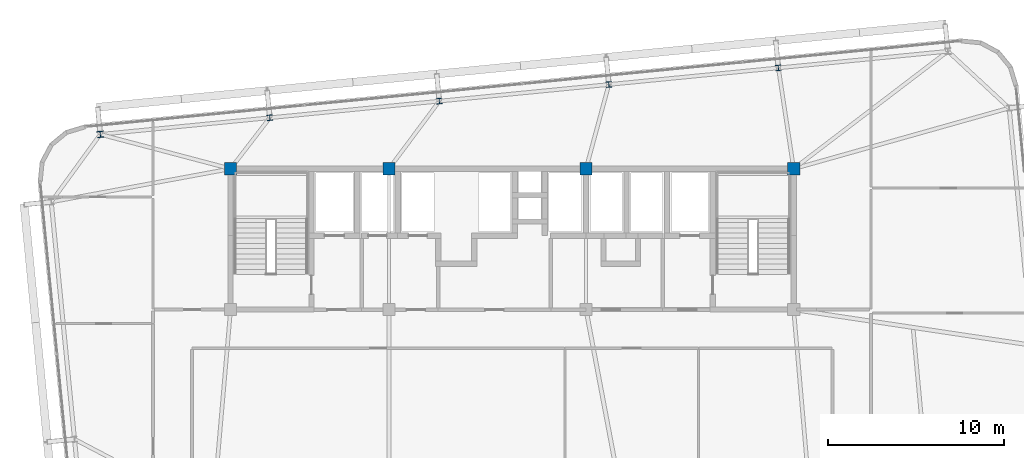
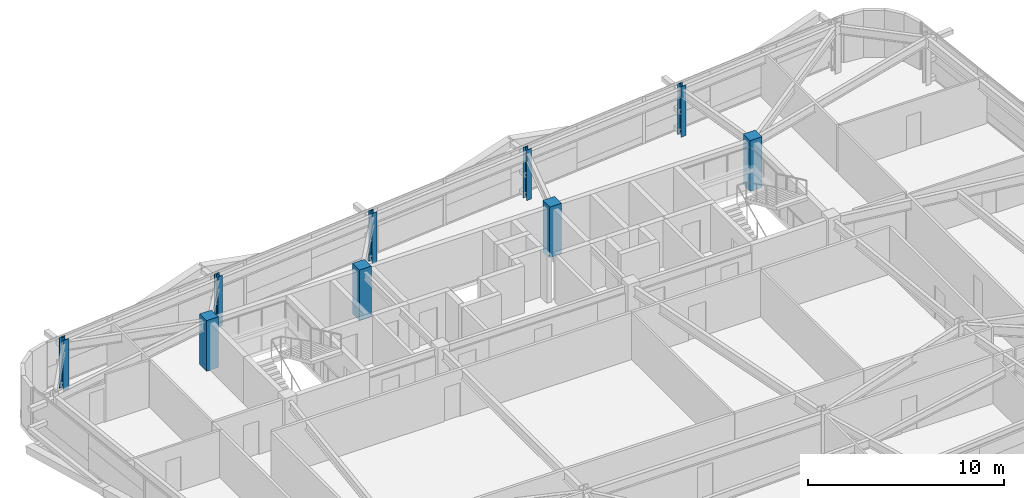
# One storey, part 3 of 47: 9 columns.
"""IFC4 building model written with IfcOpenShell, lengths in metres."""

from ifc_helpers import new_model, si_unit, direction, frame, origin, origin_2d, place, context, subcontext, project, spatial, rectangle, i_section, extrude, source, transform, mapped, material, material_profile, profile_set, type_object, element, save


model = new_model("IFC4")

# Units and contexts
model_context = context("Model", 3, precision=1e-05, world=origin(), true_north=direction((0.0, 1.0)))
body_context = subcontext(model_context, "Body", "Model", "MODEL_VIEW")
ifc_project = project(units=[si_unit("LENGTHUNIT", "METRE"), si_unit("AREAUNIT", "SQUARE_METRE"), si_unit("VOLUMEUNIT", "CUBIC_METRE"), si_unit("PLANEANGLEUNIT", "RADIAN"), si_unit("MASSUNIT", "GRAM", prefix="KILO")], contexts=[model_context])

# Site, building, storey
site_placement = place(None, origin())
site = spatial("IfcSite", under=ifc_project, at=site_placement, CompositionType="ELEMENT")
building_placement = place(site_placement, origin())
building = spatial("IfcBuilding", under=site, at=building_placement, Name="Taldren Reach Tower", CompositionType="ELEMENT")
storey_placement = place(building_placement, frame((0.0, 0.0, 106.050048828125)))
storey = spatial("IfcBuildingStorey", under=building, at=storey_placement, Name="L32", CompositionType="ELEMENT", Elevation=106.050048828125)

# Columns
ifc_material_1 = material(Name="Concrete S65 (65 MPa)", Category="concrete")
ifc_material_profile_1 = material_profile(ifc_material_1, rectangle(XDim=0.699951171875, YDim=0.699951171875, at=origin_2d()), Name="RC-700x700")
ifc_profile_set_1 = profile_set([ifc_material_profile_1], Name="Concrete S65 (65 MPa)")
column_type_1 = type_object("IfcColumnType", Name="COL-RC700", PredefinedType="COLUMN", material=ifc_profile_set_1)
shared_shape_1 = source(origin(), body_context, "Body", "SweptSolid", [
    extrude(rectangle(XDim=0.699951171875, YDim=0.699951171875, at=origin_2d()), origin(), (0.0, 0.0, 1.0), 3.14990234375),
])
for number, where, z_axis, x_axis, name in (
    (1, (19.0, 32.0, 0.0), (0.0, 0.0, 1.0), (1.0, 0.0, 0.0), "Mega column MC-C5 L32"),
    (2, (28.0, 32.0, 0.0), (0.0, 0.0, 1.0), (1.0, 0.0, 0.0), "Mega column MC-C6 L32"),
    (3, (39.199951171875, 32.0, 0.0), (0.0, 0.0, 1.0), (1.0, 0.0, 0.0), "Mega column MC-C7 L32"),
    (4, (51.0, 32.0, 0.0), (0.0, 0.0, 1.0), (1.0, 0.0, 0.0), "Mega column MC-C8 L32"),
):
    element("IfcColumn", number, at=place(storey_placement, frame(where, z_axis=z_axis, x_axis=x_axis)), inside=storey, type_object=column_type_1, Name=name, PredefinedType="COLUMN", context=body_context, shape_type="MappedRepresentation", body=[
        mapped(shared_shape_1, transform((0.0, 0.0, 0.0), scale=1.0)),
    ])
ifc_material_2 = material(Name="Steel Gr 350 (350PLUS)", Category="steel")
ifc_material_profile_2 = material_profile(ifc_material_2, i_section(OverallWidth=0.35009765625, OverallDepth=0.35595703125, WebThickness=0.01806640625, FlangeThickness=0.028076171875, at=origin_2d()), Name="350WC197")
ifc_profile_set_2 = profile_set([ifc_material_profile_2], Name="Steel Gr 350 (350PLUS)")
column_type_2 = type_object("IfcColumnType", Name="COL-WC350", PredefinedType="COLUMN", material=ifc_profile_set_2)
shared_shape_2 = source(origin(), body_context, "Body", "SweptSolid", [
    extrude(i_section(OverallWidth=0.35009765625, OverallDepth=0.35595703125, WebThickness=0.01806640625, FlangeThickness=0.028076171875, at=origin_2d()), origin(), (0.0, 0.0, 1.0), 3.14990234375),
])
column_placement = place(storey_placement, frame((11.596923828125, 33.956787109375, 0.0), z_axis=(0.0, 0.0, 1.0), x_axis=(0.995227399982, 0.097582899759, 0.0)))
element("IfcColumn", 5, at=column_placement, inside=storey, type_object=column_type_2, Name="Block B2 perimeter column N1 L32", PredefinedType="COLUMN", context=body_context, shape_type="MappedRepresentation", body=[
    mapped(shared_shape_2, transform((0.0, 0.0, 0.0), scale=1.0)),
])
ifc_material_profile_3 = material_profile(ifc_material_2, i_section(OverallWidth=0.306884765625, OverallDepth=0.31494140625, WebThickness=0.011962890625, FlangeThickness=0.018798828125, at=origin_2d()), Name="310UC118")
ifc_profile_set_3 = profile_set([ifc_material_profile_3], Name="Steel Gr 350 (350PLUS)")
column_type_3 = type_object("IfcColumnType", Name="COL-UC310B", PredefinedType="COLUMN", material=ifc_profile_set_3)
shared_shape_3 = source(origin(), body_context, "Body", "SweptSolid", [
    extrude(i_section(OverallWidth=0.306884765625, OverallDepth=0.31494140625, WebThickness=0.011962890625, FlangeThickness=0.018798828125, at=origin_2d()), origin(), (0.0, 0.0, 1.0), 3.14990234375),
])
for number, where, z_axis, x_axis, name in (
    (6, (21.230712890625, 34.9013671875, 0.0), (0.0, 0.0, 1.0), (0.995227399982, 0.097582899759, 0.0), "Block B2 perimeter column N2 L32"),
    (7, (30.864501953125, 35.84619140625, 0.0), (0.0, 0.0, 1.0), (0.995227399982, 0.097582899759, 0.0), "Block B2 perimeter column N3 L32"),
    (8, (40.498291015625, 36.790771484375, 0.0), (0.0, 0.0, 1.0), (0.995227399982, 0.097582899759, 0.0), "Block B2 perimeter column N4 L32"),
    (9, (50.132080078125, 37.7353515625, 0.0), (0.0, 0.0, 1.0), (0.995227399982, 0.097582899759, 0.0), "Block B2 perimeter column N5 L32"),
):
    element("IfcColumn", number, at=place(storey_placement, frame(where, z_axis=z_axis, x_axis=x_axis)), inside=storey, type_object=column_type_3, Name=name, PredefinedType="COLUMN", context=body_context, shape_type="MappedRepresentation", body=[
        mapped(shared_shape_3, transform((0.0, 0.0, 0.0), scale=1.0)),
    ])

save(model, "model.ifc")
